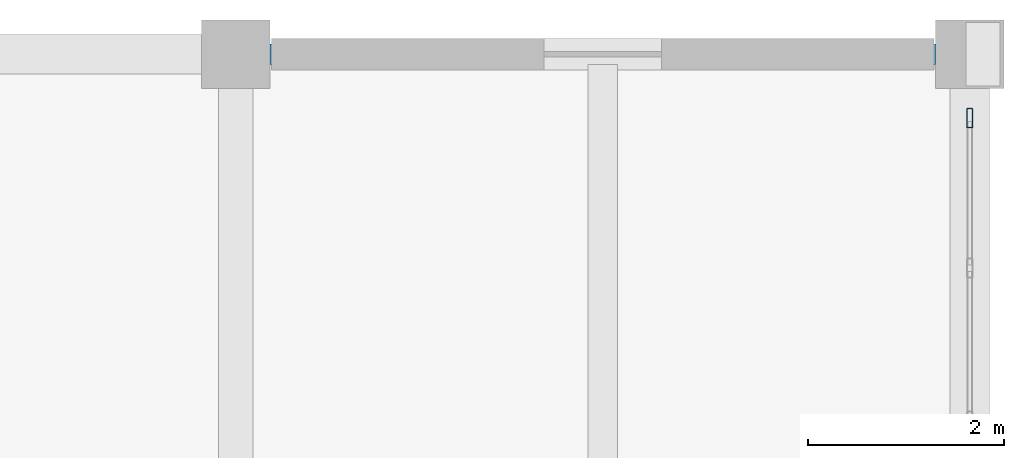
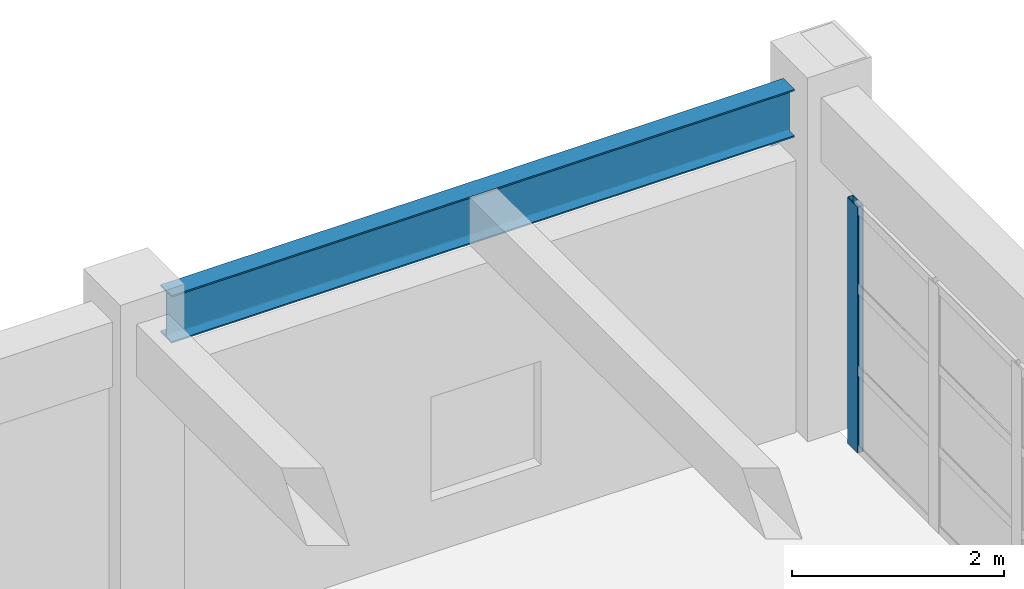
# One storey, part 80 of 132: 1 beam, 1 member, 1 element without a shape of its own.
"""IFC4 building model written with IfcOpenShell, lengths in metres."""

from ifc_helpers import new_model, si_unit, direction, frame, origin, origin_2d, place, context, subcontext, project, spatial, hollow_rectangle, i_section, extrude, material, material_profile, profile_set, type_object, element, aggregate, save


model = new_model("IFC4")

# Units and contexts
model_context = context("Model", 3, precision=1e-05, world=origin(), true_north=direction((0.0, 1.0)))
body_context = subcontext(model_context, "Body", "Model", "MODEL_VIEW")
ifc_project = project(units=[si_unit("LENGTHUNIT", "METRE"), si_unit("AREAUNIT", "SQUARE_METRE"), si_unit("VOLUMEUNIT", "CUBIC_METRE"), si_unit("PLANEANGLEUNIT", "RADIAN"), si_unit("MASSUNIT", "GRAM", prefix="KILO")], contexts=[model_context])

# Site, building, storey
site_placement = place(None, origin())
site = spatial("IfcSite", under=ifc_project, at=site_placement, CompositionType="ELEMENT")
building_placement = place(site_placement, origin())
building = spatial("IfcBuilding", under=site, at=building_placement, Name="Qasida Concert Hall", CompositionType="ELEMENT")
storey_placement = place(building_placement, frame((0.0, 0.0, 4.800048828125)))
storey = spatial("IfcBuildingStorey", under=building, at=storey_placement, Name="L01", CompositionType="ELEMENT", Elevation=4.800048828125)

# Beam
ifc_material_1 = material(Name="Steel S355J2", Category="steel")
ifc_material_profile_1 = material_profile(ifc_material_1, i_section(OverallWidth=0.2099609375, OverallDepth=0.550048828125, WebThickness=0.010986328125, FlangeThickness=0.01708984375, FilletRadius=0.02392578125, at=origin_2d()), Name="IPE 550")
ifc_profile_set_1 = profile_set([ifc_material_profile_1], Name="Steel S355J2")
beam_type = type_object("IfcBeamType", Name="BM-SP2", PredefinedType="SPANDREL", material=ifc_profile_set_1)
beam_placement = place(storey_placement, frame((157.85009765625, 112.5, 3.64501953125), z_axis=(1.0, 0.0, 0.0), x_axis=(0.0, 1.0, 0.0)))
element("IfcBeam", 1, at=beam_placement, inside=storey, type_object=beam_type, Name="Primary girder 1009", PredefinedType="SPANDREL", context=body_context, shape_type="SweptSolid", body=[
    extrude(i_section(OverallWidth=0.2099609375, OverallDepth=0.550048828125, WebThickness=0.010986328125, FlangeThickness=0.01708984375, FilletRadius=0.02392578125, at=origin_2d()), origin(), (0.0, 0.0, 1.0), 6.7998046875),
])

# Curtain wall, member
ifc_material_2 = material(Name="Architectural bronze-anodized aluminium and low-E glass", Category="aluminium")
curtain_wall_type = type_object("IfcCurtainWallType", Name="CW-11", PredefinedType="NOTDEFINED", material=ifc_material_2)
curtain_wall_placement = place(storey_placement, origin())
curtain_wall = element("IfcCurtainWall", 2, at=curtain_wall_placement, inside=storey, type_object=curtain_wall_type, Name="L01 curtain wall CW-11 0168", PredefinedType="NOTDEFINED")
ifc_material_3 = material(Name="Architectural bronze-anodized aluminium EN AW-6063", Category="aluminium")
ifc_material_profile_2 = material_profile(ifc_material_3, hollow_rectangle(XDim=0.06494140625, YDim=0.199951171875, WallThickness=0.0048828125, InnerFilletRadius=0.0048828125, OuterFilletRadius=0.010009765625, at=origin_2d()), Name="CWM 200x65x5")
ifc_profile_set_2 = profile_set([ifc_material_profile_2], Name="Architectural bronze-anodized aluminium EN AW-6063")
member_type = type_object("IfcMemberType", Name="MB-CWM-2", PredefinedType="MULLION", material=ifc_profile_set_2)
member_placement = place(storey_placement, frame((165.0, 111.847412109375, 0.0), z_axis=(0.0, 0.0, 1.0), x_axis=(-1.0, 0.0, 0.0)))
member = element("IfcMember", 3, at=member_placement, type_object=member_type, Name="CW-11 mullion 5", PredefinedType="MULLION", context=body_context, shape_type="SweptSolid", body=[
    extrude(hollow_rectangle(XDim=0.06494140625, YDim=0.199951171875, WallThickness=0.0048828125, InnerFilletRadius=0.0048828125, OuterFilletRadius=0.010009765625, at=origin_2d()), origin(), (0.0, 0.0, 1.0), 2.83984375),
])
aggregate(curtain_wall, [member])

save(model, "model.ifc")
